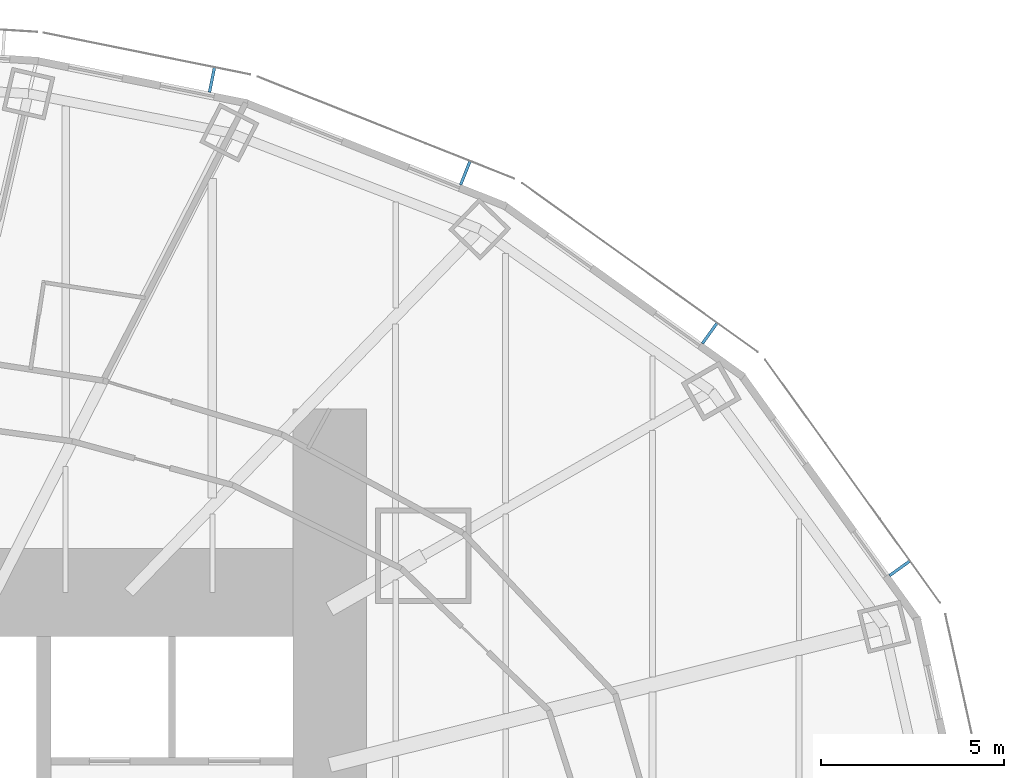
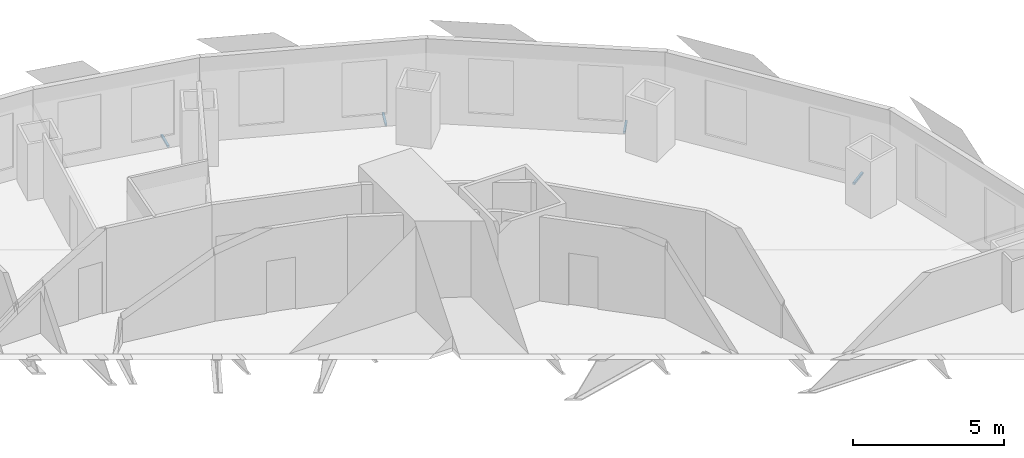
# One storey, part 12 of 15: 4 discrete accessories.
"""IFC4 building model written with IfcOpenShell, lengths in metres."""

from ifc_helpers import new_model, si_unit, direction, frame, origin, origin_2d, place, context, subcontext, project, spatial, rectangle, extrude, element, save


model = new_model("IFC4")

# Units and contexts
model_context = context("Model", 3, precision=1e-05, world=origin(), true_north=direction((0.0, 1.0)))
body_context = subcontext(model_context, "Body", "Model", "MODEL_VIEW")
ifc_project = project(units=[si_unit("LENGTHUNIT", "METRE"), si_unit("AREAUNIT", "SQUARE_METRE"), si_unit("VOLUMEUNIT", "CUBIC_METRE"), si_unit("PLANEANGLEUNIT", "RADIAN"), si_unit("MASSUNIT", "GRAM", prefix="KILO")], contexts=[model_context])

# Site, building, storey
site_placement = place(None, origin())
site = spatial("IfcSite", under=ifc_project, at=site_placement, CompositionType="ELEMENT")
building_placement = place(site_placement, origin())
building = spatial("IfcBuilding", under=site, at=building_placement, Name="Lantaw Convention Tower", CompositionType="ELEMENT")
storey_placement = place(building_placement, frame((0.0, 0.0, 101.800048828125)))
storey = spatial("IfcBuildingStorey", under=building, at=storey_placement, Name="L24", CompositionType="ELEMENT", Elevation=101.800048828125)

# Discrete accessories
for number, where, z_axis, x_axis, name in (
    (1, (28.745849609375, 8.65869140625, -0.114990234375), (0.0, 0.0, 1.0), (-0.583951250436, 0.811788726895, 0.0), "Screen bracket"),
    (2, (23.564453125, 15.06640625, -0.114990234375), (0.0, 0.0, 1.0), (-0.812803733199, 0.5825376308, 0.0), "Screen bracket"),
    (3, (16.898193359375, 19.4345703125, -0.114990234375), (0.0, 0.0, 1.0), (-0.929361152748, 0.369171840425, 0.0), "Screen bracket"),
    (4, (9.990478515625, 21.974365234375, -0.114990234375), (0.0, 0.0, 1.0), (-0.980244604501, 0.197789067813, 0.0), "Screen bracket"),
):
    element("IfcDiscreteAccessory", number, at=place(storey_placement, frame(where, z_axis=z_axis, x_axis=x_axis)), inside=storey, Name=name, PredefinedType="BRACKET", context=body_context, shape_type="SweptSolid", body=[
        extrude(rectangle(XDim=0.080078125, YDim=0.68798828125, at=origin_2d()), origin(), (0.0, 0.0, 1.0), 0.080078125),
    ])

save(model, "model.ifc")
